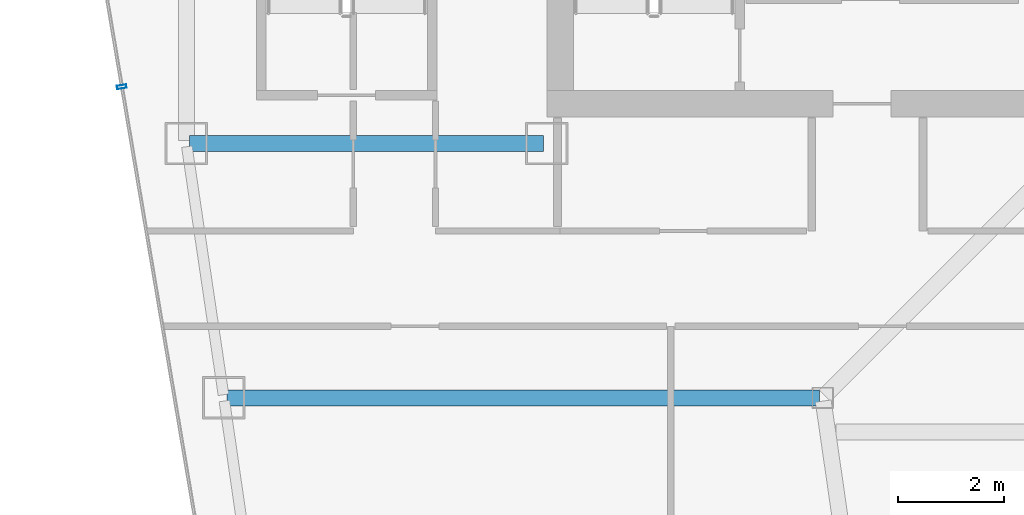
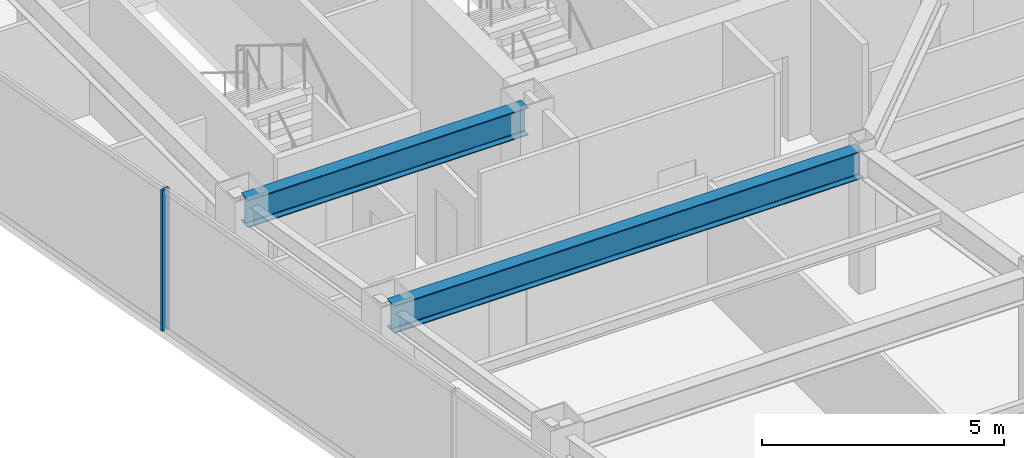
# One storey, part 11 of 35: 2 beams, 1 member, 1 element without a shape of its own.
"""IFC4 building model written with IfcOpenShell, lengths in metres."""

from ifc_helpers import new_model, si_unit, direction, frame, origin, origin_2d, place, context, subcontext, project, spatial, hollow_rectangle, i_section, extrude, material, material_profile, profile_set, type_object, element, aggregate, save


model = new_model("IFC4")

# Units and contexts
model_context = context("Model", 3, precision=1e-05, world=origin(), true_north=direction((0.0, 1.0)))
body_context = subcontext(model_context, "Body", "Model", "MODEL_VIEW")
ifc_project = project(units=[si_unit("LENGTHUNIT", "METRE"), si_unit("AREAUNIT", "SQUARE_METRE"), si_unit("VOLUMEUNIT", "CUBIC_METRE"), si_unit("PLANEANGLEUNIT", "RADIAN"), si_unit("MASSUNIT", "GRAM", prefix="KILO")], contexts=[model_context])

# Site, building, storey
site_placement = place(None, origin())
site = spatial("IfcSite", under=ifc_project, at=site_placement, CompositionType="ELEMENT")
building_placement = place(site_placement, origin())
building = spatial("IfcBuilding", under=site, at=building_placement, Name="Saevonmaru Cultural Tower", CompositionType="ELEMENT")
storey_placement = place(building_placement, frame((0.0, 0.0, 217.0)))
storey = spatial("IfcBuildingStorey", under=building, at=storey_placement, Name="L50", CompositionType="ELEMENT", Elevation=217.0)

# Beams
ifc_material_1 = material(Name="Steel SM355", Category="steel")
ifc_material_profile_1 = material_profile(ifc_material_1, i_section(OverallWidth=0.300048828125, OverallDepth=0.699951171875, WebThickness=0.012939453125, FlangeThickness=0.02392578125, FilletRadius=0.02587890625, at=origin_2d()), Name="H-700x300x13x24")
ifc_profile_set_1 = profile_set([ifc_material_profile_1], Name="Steel SM355")
beam_type = type_object("IfcBeamType", Name="BM-G-H700", PredefinedType="BEAM", material=ifc_profile_set_1)
beam_1_placement = place(storey_placement, frame((6.860107421875, 42.39990234375, 3.199951171875), z_axis=(1.0, 0.0, 0.0), x_axis=(0.0, 1.0, 0.0)))
element("IfcBeam", 1, at=beam_1_placement, inside=storey, type_object=beam_type, Name="L50 Core South Girder 1", PredefinedType="BEAM", context=body_context, shape_type="SweptSolid", body=[
    extrude(i_section(OverallWidth=0.300048828125, OverallDepth=0.699951171875, WebThickness=0.012939453125, FlangeThickness=0.02392578125, FilletRadius=0.02587890625, at=origin_2d()), origin(), (0.0, 0.0, 1.0), 6.679931640625),
])
beam_2_placement = place(storey_placement, frame((7.568115234375, 37.60009765625, 3.199951171875), z_axis=(1.0, 0.0, 0.0), x_axis=(0.0, 1.0, 0.0)))
element("IfcBeam", 2, at=beam_2_placement, inside=storey, type_object=beam_type, Name="L50 West Wing Transverse Girder 4", PredefinedType="BEAM", context=body_context, shape_type="SweptSolid", body=[
    extrude(i_section(OverallWidth=0.300048828125, OverallDepth=0.699951171875, WebThickness=0.012939453125, FlangeThickness=0.02392578125, FilletRadius=0.02587890625, at=origin_2d()), origin(), (0.0, 0.0, 1.0), 11.179931640625),
])

# Curtain wall, member
ifc_material_2 = material(Name="Satin Bronze Anodised Aluminium", Category="aluminium")
curtain_wall_type = type_object("IfcCurtainWallType", Name="CW-TYP-B", PredefinedType="NOTDEFINED", material=ifc_material_2)
curtain_wall_placement = place(storey_placement, origin())
curtain_wall = element("IfcCurtainWall", 3, at=curtain_wall_placement, inside=storey, type_object=curtain_wall_type, Name="L50 Unitised Curtain Wall E12", PredefinedType="NOTDEFINED")
ifc_material_profile_2 = material_profile(ifc_material_2, hollow_rectangle(XDim=0.06494140625, YDim=0.179931640625, WallThickness=0.00390625, at=origin_2d()), Name="ALU-MULL-180x65x4")
ifc_profile_set_2 = profile_set([ifc_material_profile_2], Name="Satin Bronze Anodised Aluminium")
member_type = type_object("IfcMemberType", Name="ML-CW-180x65", PredefinedType="MULLION", material=ifc_profile_set_2)
member_placement = place(storey_placement, frame((5.579345703125, 43.470458984375, 0.0), z_axis=(0.0, 0.0, 1.0), x_axis=(0.16692169721, -0.985970155228, 0.0)))
member = element("IfcMember", 4, at=member_placement, type_object=member_type, Name="CW-TW-L50-E12 mullion 2", PredefinedType="MULLION", context=body_context, shape_type="SweptSolid", body=[
    extrude(hollow_rectangle(XDim=0.06494140625, YDim=0.179931640625, WallThickness=0.00390625, at=origin_2d()), origin(), (0.0, 0.0, 1.0), 3.550048828125),
])
aggregate(curtain_wall, [member])

save(model, "model.ifc")
